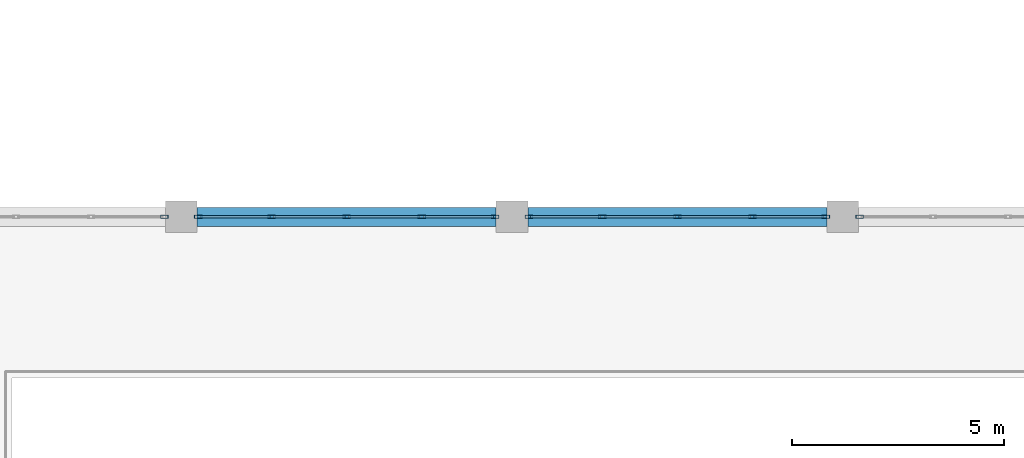
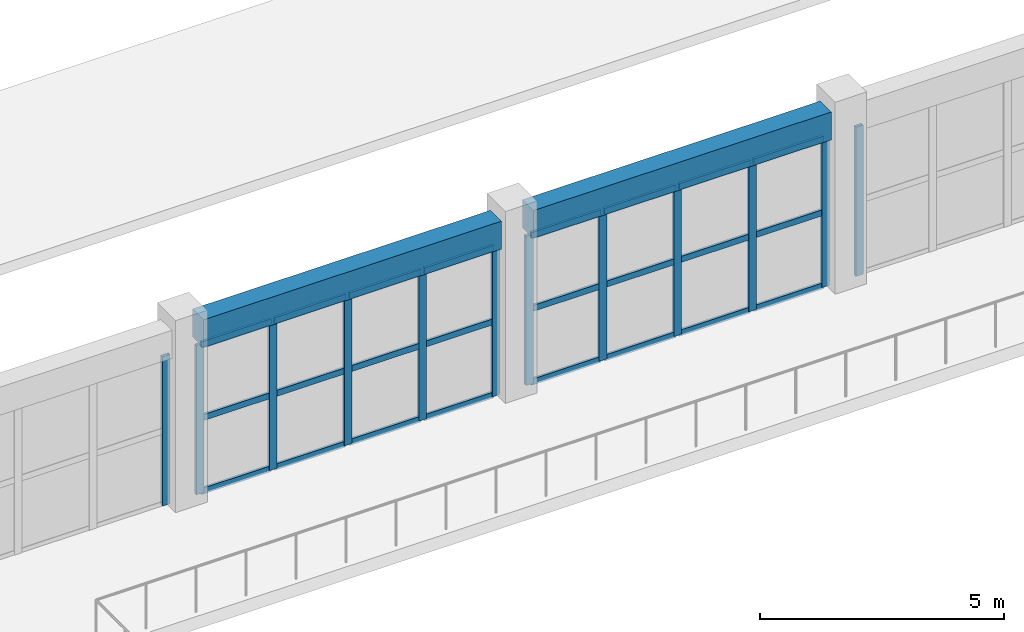
# One storey, part 38 of 167: 36 members, 2 beams, 4 elements without a shape of their own.
"""IFC4 building model written with IfcOpenShell, lengths in metres."""

from ifc_helpers import new_model, si_unit, direction, frame, origin, origin_2d, place, context, subcontext, project, spatial, rectangle, hollow_rectangle, extrude, material, layer, layer_set, material_profile, profile_set, type_object, element, aggregate, save


model = new_model("IFC4")

# Units and contexts
model_context = context("Model", 3, precision=1e-05, world=origin(), true_north=direction((0.0, 1.0)))
body_context = subcontext(model_context, "Body", "Model", "MODEL_VIEW")
ifc_project = project(units=[si_unit("LENGTHUNIT", "METRE"), si_unit("AREAUNIT", "SQUARE_METRE"), si_unit("VOLUMEUNIT", "CUBIC_METRE"), si_unit("PLANEANGLEUNIT", "RADIAN"), si_unit("MASSUNIT", "GRAM", prefix="KILO")], contexts=[model_context])

# Site, building, storey
site_placement = place(None, origin())
site = spatial("IfcSite", under=ifc_project, at=site_placement, CompositionType="ELEMENT")
building_placement = place(site_placement, origin())
building = spatial("IfcBuilding", under=site, at=building_placement, Name="Zizhar Promenade General Hospital", CompositionType="ELEMENT")
storey_placement = place(building_placement, frame((0.0, 0.0, 9.60009765625)))
storey = spatial("IfcBuildingStorey", under=building, at=storey_placement, Name="L02", CompositionType="ELEMENT", Elevation=9.60009765625)

# Beams
ifc_material_1 = material(Name="Concrete C35/45", Category="concrete")
ifc_material_profile_1 = material_profile(ifc_material_1, rectangle(XDim=0.449951171875, YDim=0.699951171875, at=origin_2d()))
ifc_profile_set_1 = profile_set([ifc_material_profile_1], Name="Concrete C35/45")
beam_type = type_object("IfcBeamType", Name="BM-RC-450x700", PredefinedType="BEAM", material=ifc_profile_set_1)
for number, where, z_axis, x_axis, name in (
    (1, (78.375, 50.39990234375, 4.119873046875), (1.0, 0.0, 0.0), (0.0, 1.0, 0.0), "Grid Beam X L02 (10-6)"),
    (2, (86.175048828125, 50.39990234375, 4.119873046875), (1.0, 0.0, 0.0), (0.0, 1.0, 0.0), "Grid Beam X L02 (11-6)"),
):
    element("IfcBeam", number, at=place(storey_placement, frame(where, z_axis=z_axis, x_axis=x_axis)), inside=storey, type_object=beam_type, Name=name, PredefinedType="BEAM", context=body_context, shape_type="SweptSolid", body=[
        extrude(rectangle(XDim=0.449951171875, YDim=0.699951171875, at=origin_2d()), origin(), (0.0, 0.0, 1.0), 7.050048828125),
    ])

# Curtain wall, member
ifc_material_2 = material(Name="Anodised aluminium 6063-T6 and low-E glass", Category="aluminium")
ifc_layer = layer(ifc_material_2, 0.159912109375)
ifc_layer_set = layer_set([ifc_layer], Name="Anodised aluminium 6063-T6 and low-E glass")
curtain_wall_type = type_object("IfcCurtainWallType", Name="CW-HALL-N", PredefinedType="NOTDEFINED", material=ifc_layer_set)
curtain_wall_1_placement = place(storey_placement, origin())
curtain_wall_1 = element("IfcCurtainWall", 3, at=curtain_wall_1_placement, inside=storey, type_object=curtain_wall_type, Name="Main Hall Courtyard Curtain Wall L02-9", PredefinedType="NOTDEFINED")
ifc_material_3 = material(Name="Anodised aluminium 6063-T6", Category="aluminium")
ifc_material_profile_2 = material_profile(ifc_material_3, hollow_rectangle(XDim=0.080078125, YDim=0.179931640625, WallThickness=0.0048828125, at=origin_2d()))
ifc_profile_set_2 = profile_set([ifc_material_profile_2], Name="Anodised aluminium 6063-T6")
member_type_1 = type_object("IfcMemberType", Name="CWM-ALU-180x80", PredefinedType="MULLION", material=ifc_profile_set_2)
member_1_placement = place(storey_placement, frame((77.60009765625, 50.39990234375, 0.0), z_axis=(0.0, 0.0, 1.0), x_axis=(0.0, 1.0, 0.0)))
member_1 = element("IfcMember", 4, at=member_1_placement, type_object=member_type_1, Name="CW-02 mullion 5", PredefinedType="MULLION", context=body_context, shape_type="SweptSolid", body=[
    extrude(hollow_rectangle(XDim=0.080078125, YDim=0.179931640625, WallThickness=0.0048828125, at=origin_2d()), origin(), (0.0, 0.0, 1.0), 3.72998046875),
])
aggregate(curtain_wall_1, [member_1])

# Curtain wall, members
curtain_wall_2_placement = place(storey_placement, origin())
curtain_wall_2 = element("IfcCurtainWall", 5, at=curtain_wall_2_placement, inside=storey, type_object=curtain_wall_type, Name="Main Hall Courtyard Curtain Wall L02-10", PredefinedType="NOTDEFINED")
member_2_placement = place(storey_placement, frame((78.39990234375, 50.39990234375, 0.0), z_axis=(0.0, 0.0, 1.0), x_axis=(0.0, 1.0, 0.0)))
member_2 = element("IfcMember", 6, at=member_2_placement, type_object=member_type_1, Name="CW-02 mullion 1", PredefinedType="MULLION", context=body_context, shape_type="SweptSolid", body=[
    extrude(hollow_rectangle(XDim=0.080078125, YDim=0.179931640625, WallThickness=0.0048828125, at=origin_2d()), origin(), (0.0, 0.0, 1.0), 3.72998046875),
])
member_3_placement = place(storey_placement, frame((80.1298828125, 50.39990234375, 0.0), z_axis=(0.0, 0.0, 1.0), x_axis=(0.0, 1.0, 0.0)))
member_3 = element("IfcMember", 7, at=member_3_placement, type_object=member_type_1, Name="CW-02 mullion 2", PredefinedType="MULLION", context=body_context, shape_type="SweptSolid", body=[
    extrude(hollow_rectangle(XDim=0.080078125, YDim=0.179931640625, WallThickness=0.0048828125, at=origin_2d()), origin(), (0.0, 0.0, 1.0), 3.72998046875),
])
member_4_placement = place(storey_placement, frame((81.89990234375, 50.39990234375, 0.0), z_axis=(0.0, 0.0, 1.0), x_axis=(0.0, 1.0, 0.0)))
member_4 = element("IfcMember", 8, at=member_4_placement, type_object=member_type_1, Name="CW-02 mullion 3", PredefinedType="MULLION", context=body_context, shape_type="SweptSolid", body=[
    extrude(hollow_rectangle(XDim=0.080078125, YDim=0.179931640625, WallThickness=0.0048828125, at=origin_2d()), origin(), (0.0, 0.0, 1.0), 3.72998046875),
])
member_5_placement = place(storey_placement, frame((83.669921875, 50.39990234375, 0.0), z_axis=(0.0, 0.0, 1.0), x_axis=(0.0, 1.0, 0.0)))
member_5 = element("IfcMember", 9, at=member_5_placement, type_object=member_type_1, Name="CW-02 mullion 4", PredefinedType="MULLION", context=body_context, shape_type="SweptSolid", body=[
    extrude(hollow_rectangle(XDim=0.080078125, YDim=0.179931640625, WallThickness=0.0048828125, at=origin_2d()), origin(), (0.0, 0.0, 1.0), 3.72998046875),
])
member_6_placement = place(storey_placement, frame((85.39990234375, 50.39990234375, 0.0), z_axis=(0.0, 0.0, 1.0), x_axis=(0.0, 1.0, 0.0)))
member_6 = element("IfcMember", 10, at=member_6_placement, type_object=member_type_1, Name="CW-02 mullion 5", PredefinedType="MULLION", context=body_context, shape_type="SweptSolid", body=[
    extrude(hollow_rectangle(XDim=0.080078125, YDim=0.179931640625, WallThickness=0.0048828125, at=origin_2d()), origin(), (0.0, 0.0, 1.0), 3.72998046875),
])

curtain_wall_3_placement = place(storey_placement, origin())
curtain_wall_3 = element("IfcCurtainWall", 11, at=curtain_wall_3_placement, inside=storey, type_object=curtain_wall_type, Name="Main Hall Courtyard Curtain Wall L02-11", PredefinedType="NOTDEFINED")
member_7_placement = place(storey_placement, frame((86.199951171875, 50.39990234375, 0.0), z_axis=(0.0, 0.0, 1.0), x_axis=(0.0, 1.0, 0.0)))
member_7 = element("IfcMember", 12, at=member_7_placement, type_object=member_type_1, Name="CW-02 mullion 1", PredefinedType="MULLION", context=body_context, shape_type="SweptSolid", body=[
    extrude(hollow_rectangle(XDim=0.080078125, YDim=0.179931640625, WallThickness=0.0048828125, at=origin_2d()), origin(), (0.0, 0.0, 1.0), 3.72998046875),
])
member_8_placement = place(storey_placement, frame((87.929931640625, 50.39990234375, 0.0), z_axis=(0.0, 0.0, 1.0), x_axis=(0.0, 1.0, 0.0)))
member_8 = element("IfcMember", 13, at=member_8_placement, type_object=member_type_1, Name="CW-02 mullion 2", PredefinedType="MULLION", context=body_context, shape_type="SweptSolid", body=[
    extrude(hollow_rectangle(XDim=0.080078125, YDim=0.179931640625, WallThickness=0.0048828125, at=origin_2d()), origin(), (0.0, 0.0, 1.0), 3.72998046875),
])
member_9_placement = place(storey_placement, frame((89.699951171875, 50.39990234375, 0.0), z_axis=(0.0, 0.0, 1.0), x_axis=(0.0, 1.0, 0.0)))
member_9 = element("IfcMember", 14, at=member_9_placement, type_object=member_type_1, Name="CW-02 mullion 3", PredefinedType="MULLION", context=body_context, shape_type="SweptSolid", body=[
    extrude(hollow_rectangle(XDim=0.080078125, YDim=0.179931640625, WallThickness=0.0048828125, at=origin_2d()), origin(), (0.0, 0.0, 1.0), 3.72998046875),
])
member_10_placement = place(storey_placement, frame((91.469970703125, 50.39990234375, 0.0), z_axis=(0.0, 0.0, 1.0), x_axis=(0.0, 1.0, 0.0)))
member_10 = element("IfcMember", 15, at=member_10_placement, type_object=member_type_1, Name="CW-02 mullion 4", PredefinedType="MULLION", context=body_context, shape_type="SweptSolid", body=[
    extrude(hollow_rectangle(XDim=0.080078125, YDim=0.179931640625, WallThickness=0.0048828125, at=origin_2d()), origin(), (0.0, 0.0, 1.0), 3.72998046875),
])
member_11_placement = place(storey_placement, frame((93.199951171875, 50.39990234375, 0.0), z_axis=(0.0, 0.0, 1.0), x_axis=(0.0, 1.0, 0.0)))
member_11 = element("IfcMember", 16, at=member_11_placement, type_object=member_type_1, Name="CW-02 mullion 5", PredefinedType="MULLION", context=body_context, shape_type="SweptSolid", body=[
    extrude(hollow_rectangle(XDim=0.080078125, YDim=0.179931640625, WallThickness=0.0048828125, at=origin_2d()), origin(), (0.0, 0.0, 1.0), 3.72998046875),
])

# Curtain wall, member
curtain_wall_4_placement = place(storey_placement, origin())
curtain_wall_4 = element("IfcCurtainWall", 17, at=curtain_wall_4_placement, inside=storey, type_object=curtain_wall_type, Name="Main Hall Courtyard Curtain Wall L02-12", PredefinedType="NOTDEFINED")
member_12_placement = place(storey_placement, frame((94.0, 50.39990234375, 0.0), z_axis=(0.0, 0.0, 1.0), x_axis=(0.0, 1.0, 0.0)))
member_12 = element("IfcMember", 18, at=member_12_placement, type_object=member_type_1, Name="CW-02 mullion 1", PredefinedType="MULLION", context=body_context, shape_type="SweptSolid", body=[
    extrude(hollow_rectangle(XDim=0.080078125, YDim=0.179931640625, WallThickness=0.0048828125, at=origin_2d()), origin(), (0.0, 0.0, 1.0), 3.72998046875),
])
aggregate(curtain_wall_4, [member_12])

# Member
ifc_material_4 = material(Name="Anodised aluminium 6063-T6", Category="aluminium")
ifc_material_profile_3 = material_profile(ifc_material_4, hollow_rectangle(XDim=0.06005859375, YDim=0.14990234375, WallThickness=0.00390625, at=origin_2d()))
ifc_profile_set_3 = profile_set([ifc_material_profile_3], Name="Anodised aluminium 6063-T6")
member_type_2 = type_object("IfcMemberType", Name="CWT-ALU-150x60", PredefinedType="USERDEFINED", material=ifc_profile_set_3)
member_13_placement = place(storey_placement, frame((78.43994140625, 50.39990234375, 0.02978515625), z_axis=(1.0, 0.0, 0.0), x_axis=(0.0, 1.0, 0.0)))
member_13 = element("IfcMember", 19, at=member_13_placement, type_object=member_type_2, Name="CW-02 transom 1.1", ObjectType="TRANSOM", PredefinedType="USERDEFINED", context=body_context, shape_type="SweptSolid", body=[
    extrude(hollow_rectangle(XDim=0.06005859375, YDim=0.14990234375, WallThickness=0.00390625, at=origin_2d()), origin(), (0.0, 0.0, 1.0), 1.650146484375),
])

member_14_placement = place(storey_placement, frame((78.43994140625, 50.39990234375, 1.864990234375), z_axis=(1.0, 0.0, 0.0), x_axis=(0.0, 1.0, 0.0)))
member_14 = element("IfcMember", 20, at=member_14_placement, type_object=member_type_2, Name="CW-02 transom 1.2", ObjectType="TRANSOM", PredefinedType="USERDEFINED", context=body_context, shape_type="SweptSolid", body=[
    extrude(hollow_rectangle(XDim=0.06005859375, YDim=0.14990234375, WallThickness=0.00390625, at=origin_2d()), origin(), (0.0, 0.0, 1.0), 1.650146484375),
])

member_15_placement = place(storey_placement, frame((78.43994140625, 50.39990234375, 3.699951171875), z_axis=(1.0, 0.0, 0.0), x_axis=(0.0, 1.0, 0.0)))
member_15 = element("IfcMember", 21, at=member_15_placement, type_object=member_type_2, Name="CW-02 transom 1.3", ObjectType="TRANSOM", PredefinedType="USERDEFINED", context=body_context, shape_type="SweptSolid", body=[
    extrude(hollow_rectangle(XDim=0.06005859375, YDim=0.14990234375, WallThickness=0.00390625, at=origin_2d()), origin(), (0.0, 0.0, 1.0), 1.650146484375),
])

member_16_placement = place(storey_placement, frame((80.169921875, 50.39990234375, 0.02978515625), z_axis=(1.0, 0.0, 0.0), x_axis=(0.0, 1.0, 0.0)))
member_16 = element("IfcMember", 22, at=member_16_placement, type_object=member_type_2, Name="CW-02 transom 2.1", ObjectType="TRANSOM", PredefinedType="USERDEFINED", context=body_context, shape_type="SweptSolid", body=[
    extrude(hollow_rectangle(XDim=0.06005859375, YDim=0.14990234375, WallThickness=0.00390625, at=origin_2d()), origin(), (0.0, 0.0, 1.0), 1.690185546875),
])

member_17_placement = place(storey_placement, frame((80.169921875, 50.39990234375, 1.864990234375), z_axis=(1.0, 0.0, 0.0), x_axis=(0.0, 1.0, 0.0)))
member_17 = element("IfcMember", 23, at=member_17_placement, type_object=member_type_2, Name="CW-02 transom 2.2", ObjectType="TRANSOM", PredefinedType="USERDEFINED", context=body_context, shape_type="SweptSolid", body=[
    extrude(hollow_rectangle(XDim=0.06005859375, YDim=0.14990234375, WallThickness=0.00390625, at=origin_2d()), origin(), (0.0, 0.0, 1.0), 1.690185546875),
])

member_18_placement = place(storey_placement, frame((80.169921875, 50.39990234375, 3.699951171875), z_axis=(1.0, 0.0, 0.0), x_axis=(0.0, 1.0, 0.0)))
member_18 = element("IfcMember", 24, at=member_18_placement, type_object=member_type_2, Name="CW-02 transom 2.3", ObjectType="TRANSOM", PredefinedType="USERDEFINED", context=body_context, shape_type="SweptSolid", body=[
    extrude(hollow_rectangle(XDim=0.06005859375, YDim=0.14990234375, WallThickness=0.00390625, at=origin_2d()), origin(), (0.0, 0.0, 1.0), 1.690185546875),
])

member_19_placement = place(storey_placement, frame((81.93994140625, 50.39990234375, 0.02978515625), z_axis=(1.0, 0.0, 0.0), x_axis=(0.0, 1.0, 0.0)))
member_19 = element("IfcMember", 25, at=member_19_placement, type_object=member_type_2, Name="CW-02 transom 3.1", ObjectType="TRANSOM", PredefinedType="USERDEFINED", context=body_context, shape_type="SweptSolid", body=[
    extrude(hollow_rectangle(XDim=0.06005859375, YDim=0.14990234375, WallThickness=0.00390625, at=origin_2d()), origin(), (0.0, 0.0, 1.0), 1.68994140625),
])

member_20_placement = place(storey_placement, frame((81.93994140625, 50.39990234375, 1.864990234375), z_axis=(1.0, 0.0, 0.0), x_axis=(0.0, 1.0, 0.0)))
member_20 = element("IfcMember", 26, at=member_20_placement, type_object=member_type_2, Name="CW-02 transom 3.2", ObjectType="TRANSOM", PredefinedType="USERDEFINED", context=body_context, shape_type="SweptSolid", body=[
    extrude(hollow_rectangle(XDim=0.06005859375, YDim=0.14990234375, WallThickness=0.00390625, at=origin_2d()), origin(), (0.0, 0.0, 1.0), 1.68994140625),
])

member_21_placement = place(storey_placement, frame((81.93994140625, 50.39990234375, 3.699951171875), z_axis=(1.0, 0.0, 0.0), x_axis=(0.0, 1.0, 0.0)))
member_21 = element("IfcMember", 27, at=member_21_placement, type_object=member_type_2, Name="CW-02 transom 3.3", ObjectType="TRANSOM", PredefinedType="USERDEFINED", context=body_context, shape_type="SweptSolid", body=[
    extrude(hollow_rectangle(XDim=0.06005859375, YDim=0.14990234375, WallThickness=0.00390625, at=origin_2d()), origin(), (0.0, 0.0, 1.0), 1.68994140625),
])

member_22_placement = place(storey_placement, frame((83.7099609375, 50.39990234375, 0.02978515625), z_axis=(1.0, 0.0, 0.0), x_axis=(0.0, 1.0, 0.0)))
member_22 = element("IfcMember", 28, at=member_22_placement, type_object=member_type_2, Name="CW-02 transom 4.1", ObjectType="TRANSOM", PredefinedType="USERDEFINED", context=body_context, shape_type="SweptSolid", body=[
    extrude(hollow_rectangle(XDim=0.06005859375, YDim=0.14990234375, WallThickness=0.00390625, at=origin_2d()), origin(), (0.0, 0.0, 1.0), 1.650146484375),
])

member_23_placement = place(storey_placement, frame((83.7099609375, 50.39990234375, 1.864990234375), z_axis=(1.0, 0.0, 0.0), x_axis=(0.0, 1.0, 0.0)))
member_23 = element("IfcMember", 29, at=member_23_placement, type_object=member_type_2, Name="CW-02 transom 4.2", ObjectType="TRANSOM", PredefinedType="USERDEFINED", context=body_context, shape_type="SweptSolid", body=[
    extrude(hollow_rectangle(XDim=0.06005859375, YDim=0.14990234375, WallThickness=0.00390625, at=origin_2d()), origin(), (0.0, 0.0, 1.0), 1.650146484375),
])

member_24_placement = place(storey_placement, frame((83.7099609375, 50.39990234375, 3.699951171875), z_axis=(1.0, 0.0, 0.0), x_axis=(0.0, 1.0, 0.0)))
member_24 = element("IfcMember", 30, at=member_24_placement, type_object=member_type_2, Name="CW-02 transom 4.3", ObjectType="TRANSOM", PredefinedType="USERDEFINED", context=body_context, shape_type="SweptSolid", body=[
    extrude(hollow_rectangle(XDim=0.06005859375, YDim=0.14990234375, WallThickness=0.00390625, at=origin_2d()), origin(), (0.0, 0.0, 1.0), 1.650146484375),
])

aggregate(curtain_wall_2, [member_2, member_3, member_4, member_5, member_6, member_13, member_14, member_15, member_16, member_17, member_18, member_19, member_20, member_21, member_22, member_23, member_24])

member_25_placement = place(storey_placement, frame((86.239990234375, 50.39990234375, 0.02978515625), z_axis=(1.0, 0.0, 0.0), x_axis=(0.0, 1.0, 0.0)))
member_25 = element("IfcMember", 31, at=member_25_placement, type_object=member_type_2, Name="CW-02 transom 1.1", ObjectType="TRANSOM", PredefinedType="USERDEFINED", context=body_context, shape_type="SweptSolid", body=[
    extrude(hollow_rectangle(XDim=0.06005859375, YDim=0.14990234375, WallThickness=0.00390625, at=origin_2d()), origin(), (0.0, 0.0, 1.0), 1.64990234375),
])

member_26_placement = place(storey_placement, frame((86.239990234375, 50.39990234375, 1.864990234375), z_axis=(1.0, 0.0, 0.0), x_axis=(0.0, 1.0, 0.0)))
member_26 = element("IfcMember", 32, at=member_26_placement, type_object=member_type_2, Name="CW-02 transom 1.2", ObjectType="TRANSOM", PredefinedType="USERDEFINED", context=body_context, shape_type="SweptSolid", body=[
    extrude(hollow_rectangle(XDim=0.06005859375, YDim=0.14990234375, WallThickness=0.00390625, at=origin_2d()), origin(), (0.0, 0.0, 1.0), 1.64990234375),
])

member_27_placement = place(storey_placement, frame((86.239990234375, 50.39990234375, 3.699951171875), z_axis=(1.0, 0.0, 0.0), x_axis=(0.0, 1.0, 0.0)))
member_27 = element("IfcMember", 33, at=member_27_placement, type_object=member_type_2, Name="CW-02 transom 1.3", ObjectType="TRANSOM", PredefinedType="USERDEFINED", context=body_context, shape_type="SweptSolid", body=[
    extrude(hollow_rectangle(XDim=0.06005859375, YDim=0.14990234375, WallThickness=0.00390625, at=origin_2d()), origin(), (0.0, 0.0, 1.0), 1.64990234375),
])

member_28_placement = place(storey_placement, frame((87.969970703125, 50.39990234375, 0.02978515625), z_axis=(1.0, 0.0, 0.0), x_axis=(0.0, 1.0, 0.0)))
member_28 = element("IfcMember", 34, at=member_28_placement, type_object=member_type_2, Name="CW-02 transom 2.1", ObjectType="TRANSOM", PredefinedType="USERDEFINED", context=body_context, shape_type="SweptSolid", body=[
    extrude(hollow_rectangle(XDim=0.06005859375, YDim=0.14990234375, WallThickness=0.00390625, at=origin_2d()), origin(), (0.0, 0.0, 1.0), 1.68994140625),
])

member_29_placement = place(storey_placement, frame((87.969970703125, 50.39990234375, 1.864990234375), z_axis=(1.0, 0.0, 0.0), x_axis=(0.0, 1.0, 0.0)))
member_29 = element("IfcMember", 35, at=member_29_placement, type_object=member_type_2, Name="CW-02 transom 2.2", ObjectType="TRANSOM", PredefinedType="USERDEFINED", context=body_context, shape_type="SweptSolid", body=[
    extrude(hollow_rectangle(XDim=0.06005859375, YDim=0.14990234375, WallThickness=0.00390625, at=origin_2d()), origin(), (0.0, 0.0, 1.0), 1.68994140625),
])

member_30_placement = place(storey_placement, frame((87.969970703125, 50.39990234375, 3.699951171875), z_axis=(1.0, 0.0, 0.0), x_axis=(0.0, 1.0, 0.0)))
member_30 = element("IfcMember", 36, at=member_30_placement, type_object=member_type_2, Name="CW-02 transom 2.3", ObjectType="TRANSOM", PredefinedType="USERDEFINED", context=body_context, shape_type="SweptSolid", body=[
    extrude(hollow_rectangle(XDim=0.06005859375, YDim=0.14990234375, WallThickness=0.00390625, at=origin_2d()), origin(), (0.0, 0.0, 1.0), 1.68994140625),
])

member_31_placement = place(storey_placement, frame((89.739990234375, 50.39990234375, 0.02978515625), z_axis=(1.0, 0.0, 0.0), x_axis=(0.0, 1.0, 0.0)))
member_31 = element("IfcMember", 37, at=member_31_placement, type_object=member_type_2, Name="CW-02 transom 3.1", ObjectType="TRANSOM", PredefinedType="USERDEFINED", context=body_context, shape_type="SweptSolid", body=[
    extrude(hollow_rectangle(XDim=0.06005859375, YDim=0.14990234375, WallThickness=0.00390625, at=origin_2d()), origin(), (0.0, 0.0, 1.0), 1.68994140625),
])

member_32_placement = place(storey_placement, frame((89.739990234375, 50.39990234375, 1.864990234375), z_axis=(1.0, 0.0, 0.0), x_axis=(0.0, 1.0, 0.0)))
member_32 = element("IfcMember", 38, at=member_32_placement, type_object=member_type_2, Name="CW-02 transom 3.2", ObjectType="TRANSOM", PredefinedType="USERDEFINED", context=body_context, shape_type="SweptSolid", body=[
    extrude(hollow_rectangle(XDim=0.06005859375, YDim=0.14990234375, WallThickness=0.00390625, at=origin_2d()), origin(), (0.0, 0.0, 1.0), 1.68994140625),
])

member_33_placement = place(storey_placement, frame((89.739990234375, 50.39990234375, 3.699951171875), z_axis=(1.0, 0.0, 0.0), x_axis=(0.0, 1.0, 0.0)))
member_33 = element("IfcMember", 39, at=member_33_placement, type_object=member_type_2, Name="CW-02 transom 3.3", ObjectType="TRANSOM", PredefinedType="USERDEFINED", context=body_context, shape_type="SweptSolid", body=[
    extrude(hollow_rectangle(XDim=0.06005859375, YDim=0.14990234375, WallThickness=0.00390625, at=origin_2d()), origin(), (0.0, 0.0, 1.0), 1.68994140625),
])

member_34_placement = place(storey_placement, frame((91.510009765625, 50.39990234375, 0.02978515625), z_axis=(1.0, 0.0, 0.0), x_axis=(0.0, 1.0, 0.0)))
member_34 = element("IfcMember", 40, at=member_34_placement, type_object=member_type_2, Name="CW-02 transom 4.1", ObjectType="TRANSOM", PredefinedType="USERDEFINED", context=body_context, shape_type="SweptSolid", body=[
    extrude(hollow_rectangle(XDim=0.06005859375, YDim=0.14990234375, WallThickness=0.00390625, at=origin_2d()), origin(), (0.0, 0.0, 1.0), 1.64990234375),
])

member_35_placement = place(storey_placement, frame((91.510009765625, 50.39990234375, 1.864990234375), z_axis=(1.0, 0.0, 0.0), x_axis=(0.0, 1.0, 0.0)))
member_35 = element("IfcMember", 41, at=member_35_placement, type_object=member_type_2, Name="CW-02 transom 4.2", ObjectType="TRANSOM", PredefinedType="USERDEFINED", context=body_context, shape_type="SweptSolid", body=[
    extrude(hollow_rectangle(XDim=0.06005859375, YDim=0.14990234375, WallThickness=0.00390625, at=origin_2d()), origin(), (0.0, 0.0, 1.0), 1.64990234375),
])

member_36_placement = place(storey_placement, frame((91.510009765625, 50.39990234375, 3.699951171875), z_axis=(1.0, 0.0, 0.0), x_axis=(0.0, 1.0, 0.0)))
member_36 = element("IfcMember", 42, at=member_36_placement, type_object=member_type_2, Name="CW-02 transom 4.3", ObjectType="TRANSOM", PredefinedType="USERDEFINED", context=body_context, shape_type="SweptSolid", body=[
    extrude(hollow_rectangle(XDim=0.06005859375, YDim=0.14990234375, WallThickness=0.00390625, at=origin_2d()), origin(), (0.0, 0.0, 1.0), 1.64990234375),
])

aggregate(curtain_wall_3, [member_7, member_8, member_9, member_10, member_11, member_25, member_26, member_27, member_28, member_29, member_30, member_31, member_32, member_33, member_34, member_35, member_36])

save(model, "model.ifc")
